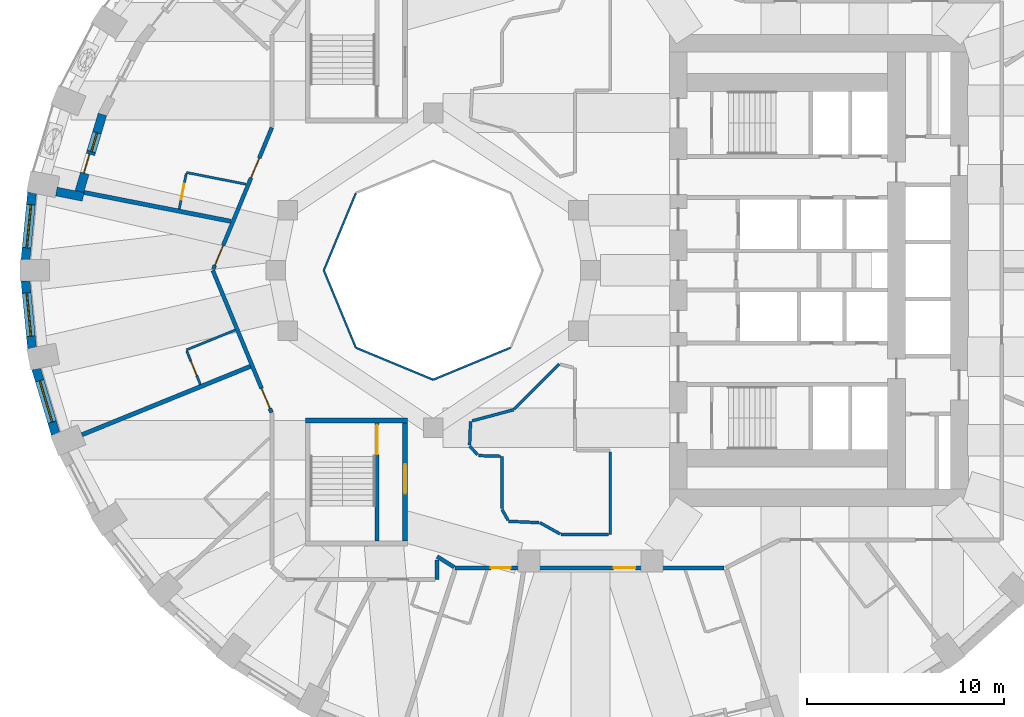
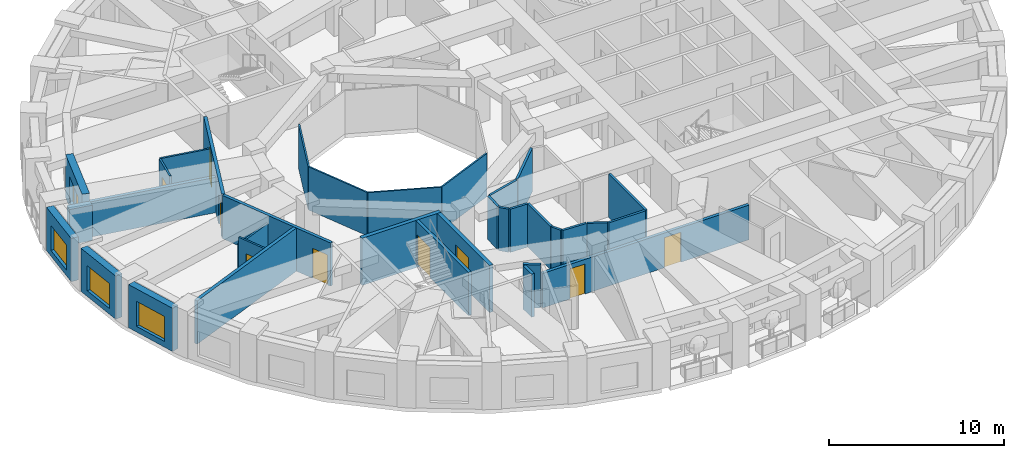
# One storey, part 4 of 13: 34 walls, 10 doors, 4 windows, 14 openings.
"""IFC4 building model written with IfcOpenShell, lengths in metres."""

import ifcopenshell
import ifcopenshell.guid

model = None  # the IFC model being written
_history = None  # IfcOwnerHistory: only IFC2X3 demands one
_inside = {}  # id of a spatial element -> (the spatial element, [elements in it])
_under = {}  # id of a project, library or spatial element -> (it, [spatial elements below it])
_declared = {}  # id of a project -> (the project, [libraries it declares])
_typed = {}  # id of a type object -> (the type object, [elements of that type])
_made_of = {}  # id of a material, layer set ... -> (it, [elements and type objects made of it])


def new_model(schema):
    """Start an empty IFC model of exactly this schema.

    Asked for "IFC4X3", IfcOpenShell would pick the latest addendum, in which some entities
    have other attributes; the version numbers below select the first issue.
    IFC2X3 requires an IfcOwnerHistory on every rooted entity: one is made here for all.
    """
    global model, _history
    if schema == "IFC4X3":
        model = ifcopenshell.file(schema_version=(4, 3, 0, 0))
    else:
        model = ifcopenshell.file(schema=schema)
    _inside.clear()
    _under.clear()
    _declared.clear()
    _typed.clear()
    _made_of.clear()
    _history = None
    if model.schema == "IFC2X3":
        org = make("IfcOrganization", Name="unknown")
        user = make(
            "IfcPersonAndOrganization",
            ThePerson=make("IfcPerson", FamilyName="unknown"),
            TheOrganization=org,
        )
        app = make(
            "IfcApplication",
            ApplicationDeveloper=org,
            Version="unknown",
            ApplicationFullName="unknown",
            ApplicationIdentifier="unknown",
        )
        _history = make(
            "IfcOwnerHistory",
            OwningUser=user,
            OwningApplication=app,
            ChangeAction="ADDED",
            CreationDate=0,
        )
    return model


def make(cls, **values):
    """One entity of the class cls with the attributes given. An attribute that is None is left unset."""
    return model.create_entity(
        cls, **{name: value for name, value in values.items() if value is not None}
    )


def rooted(cls, **values):
    """An entity with a GlobalId (a new one), such as an element, a storey or a relation."""
    return make(cls, GlobalId=ifcopenshell.guid.new(), OwnerHistory=_history, **values)


def si_unit(unit_type, name, prefix=None):
    """IfcSIUnit, for example si_unit("LENGTHUNIT", "METRE", prefix="MILLI")."""
    return make("IfcSIUnit", UnitType=unit_type, Prefix=prefix, Name=name)


def assignment(units):
    """IfcUnitAssignment: the units of a project."""
    return None if units is None else make("IfcUnitAssignment", Units=units)


def point(xyz):
    """IfcCartesianPoint."""
    return None if xyz is None else make("IfcCartesianPoint", Coordinates=xyz)


def direction(xyz):
    """IfcDirection."""
    return None if xyz is None else make("IfcDirection", DirectionRatios=xyz)


def frame(location, z_axis=None, x_axis=None):
    """IfcAxis2Placement3D, a coordinate frame: its origin and axes. An axis left out is left unset."""
    return make(
        "IfcAxis2Placement3D",
        Location=point(location),
        Axis=direction(z_axis),
        RefDirection=direction(x_axis),
    )


def frame_2d(location, x_axis=None):
    """IfcAxis2Placement2D, a coordinate frame in the plane: its origin and x axis."""
    return make(
        "IfcAxis2Placement2D", Location=point(location), RefDirection=direction(x_axis)
    )


def origin():
    """The frame at (0, 0, 0) with its axes left unset."""
    return frame((0.0, 0.0, 0.0))


def place(relative_to, where):
    """IfcLocalPlacement: puts the frame where relative to a parent placement (None: the world)."""
    return make(
        "IfcLocalPlacement", PlacementRelTo=relative_to, RelativePlacement=where
    )


def context(
    kind, dimensions, precision=None, world=None, true_north=None, identifier=None
):
    """IfcGeometricRepresentationContext, for example the 3D "Model" context."""
    return make(
        "IfcGeometricRepresentationContext",
        ContextIdentifier=identifier,
        ContextType=kind,
        CoordinateSpaceDimension=dimensions,
        Precision=precision,
        WorldCoordinateSystem=world,
        TrueNorth=true_north,
    )


def subcontext(parent, identifier, kind, view, scale=None):
    """IfcGeometricRepresentationSubContext, for example "Body" below "Model"."""
    return make(
        "IfcGeometricRepresentationSubContext",
        ContextIdentifier=identifier,
        ContextType=kind,
        ParentContext=parent,
        TargetScale=scale,
        TargetView=view,
    )


def project(units=None, contexts=None):
    """IfcProject with its units and contexts."""
    return rooted(
        "IfcProject",
        Name="project",
        RepresentationContexts=contexts,
        UnitsInContext=assignment(units),
    )


def spatial(cls, under=None, at=None, **own):
    """A site, building, storey or space (cls), placed at a placement, below another one or the project."""
    s = rooted(cls, ObjectPlacement=at, **own)
    if under is not None:
        _under.setdefault(under.id(), (under, []))[1].append(s)
    return s


def profile(cls, at=None, kind="AREA", **sizes):
    """A parametric profile (cls). Its sizes go by their IFC names, for example OverallWidth=200.0."""
    return make(cls, ProfileType=kind, Position=at, **sizes)


def rectangle(**sizes):
    """IfcRectangleProfileDef."""
    return profile("IfcRectangleProfileDef", **sizes)


def extrude(swept, where, along, depth):
    """IfcExtrudedAreaSolid: the profile swept, set in the frame where, extruded along a direction by depth."""
    return make(
        "IfcExtrudedAreaSolid",
        SweptArea=swept,
        Position=where,
        ExtrudedDirection=direction(along),
        Depth=depth,
    )


def shape(context_of_items, identifier, shape_type, items):
    """IfcShapeRepresentation: the items that make up one representation, for example the "Body"."""
    return make(
        "IfcShapeRepresentation",
        ContextOfItems=context_of_items,
        RepresentationIdentifier=identifier,
        RepresentationType=shape_type,
        Items=items,
    )


def material(Name=None, Category=None):
    """IfcMaterial."""
    return make("IfcMaterial", Name=Name, Category=Category)


def layer(
    of_material, thickness, ventilated=None, Name=None, Category=None, Priority=None
):
    """IfcMaterialLayer: one layer of a wall or slab, of a material (None: an air gap)."""
    return make(
        "IfcMaterialLayer",
        Material=of_material,
        LayerThickness=thickness,
        IsVentilated=ventilated,
        Name=Name,
        Category=Category,
        Priority=Priority,
    )


def layer_set(layers, Name=None):
    """IfcMaterialLayerSet."""
    return make("IfcMaterialLayerSet", MaterialLayers=layers, LayerSetName=Name)


def made_of(thing, what):
    """Note that an element or type object is made of a material, layer set ...; save() writes the relation."""
    if what is not None:
        _made_of.setdefault(what.id(), (what, []))[1].append(thing)
    return thing


def type_object(cls, material=None, **own):
    """A type object (cls), such as IfcWallType, which elements share."""
    return made_of(rooted(cls, **own), material)


def element(
    cls,
    number,
    at=None,
    inside=None,
    cuts=None,
    type_object=None,
    material=None,
    context=None,
    identifier="Body",
    shape_type=None,
    held_by="IfcProductDefinitionShape",
    body=None,
    shapes=None,
    **own,
):
    """One element of the class cls, such as IfcWall. Its Tag is "e" and its number.

    at: its placement. inside: the storey or other place that contains it. cuts: it is an
    opening in that element (IfcRelVoidsElement). A single representation is given by context,
    identifier, shape_type and body (its items); several are given by shapes. held_by: the class
    of the entity that holds the representations. save() writes the other relations.
    """
    e = rooted(cls, Tag="e%d" % number, ObjectPlacement=at, **own)
    if body is not None:
        shapes = [shape(context, identifier, shape_type, body)]
    if shapes is not None:
        e.Representation = make(held_by, Representations=shapes)
    if inside is not None:
        _inside.setdefault(inside.id(), (inside, []))[1].append(e)
    if cuts is not None:
        rooted(
            "IfcRelVoidsElement", RelatingBuildingElement=cuts, RelatedOpeningElement=e
        )
    if type_object is not None:
        _typed.setdefault(type_object.id(), (type_object, []))[1].append(e)
    return made_of(e, material)


def fill(opening, filler):
    """IfcRelFillsElement: the door or window that sits in an opening."""
    return rooted(
        "IfcRelFillsElement",
        RelatingOpeningElement=opening,
        RelatedBuildingElement=filler,
    )


def aggregate(whole, parts):
    """IfcRelAggregates: a whole, such as a stair, and the parts it consists of."""
    return rooted("IfcRelAggregates", RelatingObject=whole, RelatedObjects=parts)


def save(model, path):
    """Write the relations noted so far, then the file.

    IfcRelAggregates (storeys below a building ...), IfcRelContainedInSpatialStructure (elements
    in a storey), IfcRelDefinesByType, IfcRelAssociatesMaterial and IfcRelDeclares: one each for
    every whole, place, type object, material and project.
    """
    for whole, parts in _under.values():
        aggregate(whole, parts)
    for where, things in _inside.values():
        rooted(
            "IfcRelContainedInSpatialStructure",
            RelatedElements=things,
            RelatingStructure=where,
        )
    for kind, things in _typed.values():
        rooted("IfcRelDefinesByType", RelatedObjects=things, RelatingType=kind)
    for what, things in _made_of.values():
        rooted("IfcRelAssociatesMaterial", RelatedObjects=things, RelatingMaterial=what)
    for by, libraries in _declared.values():
        rooted("IfcRelDeclares", RelatingContext=by, RelatedDefinitions=libraries)
    model.write(path)


model = new_model("IFC4")

# Units and contexts
model_context = context("Model", 3, precision=1e-05, world=origin(), true_north=direction((0.0, 1.0)))
body_context = subcontext(model_context, "Body", "Model", "MODEL_VIEW")
ifc_project = project(units=[si_unit("LENGTHUNIT", "METRE"), si_unit("AREAUNIT", "SQUARE_METRE"), si_unit("VOLUMEUNIT", "CUBIC_METRE"), si_unit("PLANEANGLEUNIT", "RADIAN"), si_unit("MASSUNIT", "GRAM", prefix="KILO")], contexts=[model_context])

# Site, building, storey
site_placement = place(None, origin())
site = spatial("IfcSite", under=ifc_project, at=site_placement, CompositionType="ELEMENT")
building_placement = place(site_placement, origin())
building = spatial("IfcBuilding", under=site, at=building_placement, Name="Taillehof Tower", CompositionType="ELEMENT")
storey_placement = place(building_placement, frame((0.0, 0.0, 77.800048828125)))
storey = spatial("IfcBuildingStorey", under=building, at=storey_placement, Name="L21", CompositionType="ELEMENT", Elevation=77.800048828125)

# Walls
ifc_material_1 = material(Name="Fire-resisting glass in steel frame", Category="steel")
ifc_layer_1 = layer(ifc_material_1, 0.10009765625)
ifc_layer_set_1 = layer_set([ifc_layer_1], Name="Atrium fire-resisting screen EI 60 100")
wall_type_1 = type_object("IfcWallType", Name="Atrium fire-resisting screen EI 60 100", PredefinedType="PARTITIONING", material=ifc_layer_set_1)
for number, where, z_axis, x_axis, name in (
    (1, (-4.07275390625, -3.92724609375, 0.0), (0.0, 0.0, 1.0), (-0.923860025149, -0.382730523909, 0.0), "Atrium screen"),
    (2, (-8.0, -5.55419921875, 0.0), (0.0, 0.0, 1.0), (-0.923860025149, 0.382730523909, 0.0), "Atrium screen"),
    (3, (-11.92724609375, -3.92724609375, 0.0), (0.0, 0.0, 1.0), (-0.382730523909, 0.923860025149, 0.0), "Atrium screen"),
    (4, (-13.55419921875, 0.0, 0.0), (0.0, 0.0, 1.0), (0.382730523909, 0.923860025149, 0.0), "Atrium screen"),
):
    element("IfcWall", number, at=place(storey_placement, frame(where, z_axis=z_axis, x_axis=x_axis)), inside=storey, type_object=wall_type_1, Name=name, PredefinedType="PARTITIONING", context=body_context, shape_type="SweptSolid", body=[
        extrude(rectangle(XDim=4.2509765625, YDim=0.10009765625, at=frame_2d((2.12548828125, 0.0))), origin(), (0.0, 0.0, 1.0), 3.02001953125),
    ])

# Wall, opening, window
ifc_material_2 = material(Name="Brick masonry", Category="masonry")
ifc_layer_2 = layer(ifc_material_2, 0.449951171875)
ifc_layer_set_2 = layer_set([ifc_layer_2], Name="Brick infill wall 450")
wall_type_2 = type_object("IfcWallType", Name="Brick infill wall 450", PredefinedType="SOLIDWALL", material=ifc_layer_set_2)
wall_1_placement = place(storey_placement, frame((-28.38671875, 3.95556640625, 0.0), z_axis=(0.0, 0.0, 1.0), x_axis=(-0.097389581596, -0.995246336038, 0.0)))
wall_1 = element("IfcWall", 5, at=wall_1_placement, inside=storey, type_object=wall_type_2, Name="Brick wall L21 bay 18", PredefinedType="SOLIDWALL", context=body_context, shape_type="SweptSolid", body=[
    extrude(rectangle(XDim=3.44189453125, YDim=0.449951171875, at=frame_2d((1.720947265625, 0.0))), origin(), (0.0, 0.0, 1.0), 3.02001953125),
])
opening_1_placement = place(wall_1_placement, frame((0.62109375, 0.0, 0.39990234375)))
opening_1 = element("IfcOpeningElement", 6, at=opening_1_placement, cuts=wall_1, Name="Opening W1", PredefinedType="OPENING", context=body_context, shape_type="SweptSolid", body=[
    extrude(rectangle(XDim=2.199951171875, YDim=1.75, at=frame_2d((1.10009765625, 0.875))), frame((0.0, 0.23486328125, 0.0), z_axis=(0.0, -1.0, 0.0), x_axis=(1.0, 0.0, 0.0)), (0.0, 0.0, 1.0), 0.469970703125),
])
ifc_material_3 = material(Name="Aluminium window frame with clear double glazing", Category="aluminium")
window_type_1 = type_object("IfcWindowType", Name="Deep-set window 2200x1750", PartitioningType="SINGLE_PANEL", PredefinedType="WINDOW", material=ifc_material_3)
window_1_placement = place(opening_1_placement, origin())
window_1 = element("IfcWindow", 7, at=window_1_placement, inside=storey, type_object=window_type_1, Name="W1", OverallHeight=1.75, OverallWidth=2.199951171875, PartitioningType="SINGLE_PANEL", PredefinedType="WINDOW", context=body_context, shape_type="SweptSolid", body=[
    extrude(rectangle(XDim=2.199951171875, YDim=1.75, at=frame_2d((1.10009765625, 0.875))), frame((0.0, 0.034912109375, 0.0), z_axis=(0.0, -1.0, 0.0), x_axis=(1.0, 0.0, 0.0)), (0.0, 0.0, 1.0), 0.06005859375),
])
fill(opening_1, window_1)

wall_2_placement = place(storey_placement, frame((-28.721923828125, -0.530029296875, 0.0), z_axis=(0.0, 0.0, 1.0), x_axis=(0.097389581596, -0.995246336038, 0.0)))
wall_2 = element("IfcWall", 8, at=wall_2_placement, inside=storey, type_object=wall_type_2, Name="Brick wall L21 bay 19", PredefinedType="SOLIDWALL", context=body_context, shape_type="SweptSolid", body=[
    extrude(rectangle(XDim=3.44189453125, YDim=0.449951171875, at=frame_2d((1.720947265625, 0.0))), origin(), (0.0, 0.0, 1.0), 3.02001953125),
])
opening_2_placement = place(wall_2_placement, frame((0.62109375, 0.0, 0.39990234375)))
opening_2 = element("IfcOpeningElement", 9, at=opening_2_placement, cuts=wall_2, Name="Opening W1", PredefinedType="OPENING", context=body_context, shape_type="SweptSolid", body=[
    extrude(rectangle(XDim=2.199951171875, YDim=1.75, at=frame_2d((1.10009765625, 0.875))), frame((0.0, 0.23486328125, 0.0), z_axis=(0.0, -1.0, 0.0), x_axis=(1.0, 0.0, 0.0)), (0.0, 0.0, 1.0), 0.469970703125),
])
window_2_placement = place(opening_2_placement, origin())
window_2 = element("IfcWindow", 10, at=window_2_placement, inside=storey, type_object=window_type_1, Name="W1", OverallHeight=1.75, OverallWidth=2.199951171875, PartitioningType="SINGLE_PANEL", PredefinedType="WINDOW", context=body_context, shape_type="SweptSolid", body=[
    extrude(rectangle(XDim=2.199951171875, YDim=1.75, at=frame_2d((1.10009765625, 0.875))), frame((0.0, 0.034912109375, 0.0), z_axis=(0.0, -1.0, 0.0), x_axis=(1.0, 0.0, 0.0)), (0.0, 0.0, 1.0), 0.06005859375),
])
fill(opening_2, window_2)

wall_3_placement = place(storey_placement, frame((-28.181884765625, -4.995849609375, 0.0), z_axis=(0.0, 0.0, 1.0), x_axis=(0.287064133733, -0.957911364963, 0.0)))
wall_3 = element("IfcWall", 11, at=wall_3_placement, inside=storey, type_object=wall_type_2, Name="Brick wall L21 bay 20", PredefinedType="SOLIDWALL", context=body_context, shape_type="SweptSolid", body=[
    extrude(rectangle(XDim=3.473388671875, YDim=0.449951171875, at=frame_2d((1.73681640625, 0.0))), origin(), (0.0, 0.0, 1.0), 3.02001953125),
])
opening_3_placement = place(wall_3_placement, frame((0.63671875, 0.0, 0.39990234375)))
opening_3 = element("IfcOpeningElement", 12, at=opening_3_placement, cuts=wall_3, Name="Opening W1", PredefinedType="OPENING", context=body_context, shape_type="SweptSolid", body=[
    extrude(rectangle(XDim=2.199951171875, YDim=1.75, at=frame_2d((1.10009765625, 0.875))), frame((0.0, 0.23486328125, 0.0), z_axis=(0.0, -1.0, 0.0), x_axis=(1.0, 0.0, 0.0)), (0.0, 0.0, 1.0), 0.469970703125),
])
window_3_placement = place(opening_3_placement, origin())
window_3 = element("IfcWindow", 13, at=window_3_placement, inside=storey, type_object=window_type_1, Name="W1", OverallHeight=1.75, OverallWidth=2.199951171875, PartitioningType="SINGLE_PANEL", PredefinedType="WINDOW", context=body_context, shape_type="SweptSolid", body=[
    extrude(rectangle(XDim=2.199951171875, YDim=1.75, at=frame_2d((1.10009765625, 0.875))), frame((0.0, 0.034912109375, 0.0), z_axis=(0.0, -1.0, 0.0), x_axis=(1.0, 0.0, 0.0)), (0.0, 0.0, 1.0), 0.06005859375),
])
fill(opening_3, window_3)

# Wall
wall_4_placement = place(storey_placement, frame((-27.15087890625, 4.008544921875, 0.0), z_axis=(0.0, 0.0, 1.0), x_axis=(0.981197182729, -0.1930080014, 0.0)))
element("IfcWall", 14, at=wall_4_placement, inside=storey, type_object=wall_type_2, Name="Brick reveal L21 pocket 4", PredefinedType="SOLIDWALL", context=body_context, shape_type="SweptSolid", body=[
    extrude(rectangle(XDim=1.39013671875, YDim=0.449951171875, at=frame_2d((0.695068359375, 0.0))), origin(), (0.0, 0.0, 1.0), 2.469970703125),
])

# Wall, openings, door, window
wall_5_placement = place(storey_placement, frame((-24.811767578125, 7.92529296875, 0.0), z_axis=(0.0, 0.0, 1.0), x_axis=(-0.286389028326, -0.95811341941, 0.0)))
wall_5 = element("IfcWall", 15, at=wall_5_placement, inside=storey, type_object=wall_type_2, Name="Brick wall L21 pocket bay 17", PredefinedType="SOLIDWALL", context=body_context, shape_type="SweptSolid", body=[
    extrude(rectangle(XDim=4.08837890625, YDim=0.449951171875, at=frame_2d((2.044189453125, 0.0))), origin(), (0.0, 0.0, 1.0), 3.02001953125),
])
opening_4_placement = place(wall_5_placement, frame((0.96923828125, 0.0, 0.39990234375)))
opening_4 = element("IfcOpeningElement", 16, at=opening_4_placement, cuts=wall_5, Name="Opening W5", PredefinedType="OPENING", context=body_context, shape_type="SweptSolid", body=[
    extrude(rectangle(XDim=1.0, YDim=1.75, at=frame_2d((0.5, 0.875))), frame((0.0, 0.23486328125, 0.0), z_axis=(0.0, -1.0, 0.0), x_axis=(1.0, 0.0, 0.0)), (0.0, 0.0, 1.0), 0.469970703125),
])
opening_5_placement = place(wall_5_placement, frame((2.119140625, 0.0, 0.0)))
opening_5 = element("IfcOpeningElement", 17, at=opening_5_placement, cuts=wall_5, Name="Opening D2196", PredefinedType="OPENING", context=body_context, shape_type="SweptSolid", body=[
    extrude(rectangle(XDim=1.0, YDim=2.14990234375, at=frame_2d((0.5, 1.074951171875))), frame((0.0, 0.23486328125, 0.0), z_axis=(0.0, -1.0, 0.0), x_axis=(1.0, 0.0, 0.0)), (0.0, 0.0, 1.0), 0.469970703125),
])
ifc_material_4 = material(Name="Aluminium door frame with clear double glazing", Category="aluminium")
door_type_1 = type_object("IfcDoorType", Name="Balcony door 1000x2150", OperationType="SINGLE_SWING_RIGHT", PredefinedType="DOOR", material=ifc_material_4)
door_1_placement = place(opening_5_placement, frame((1.0, 0.0, 0.0), z_axis=(0.0, 0.0, 1.0), x_axis=(-1.0, 0.0, 0.0)))
door_1 = element("IfcDoor", 18, at=door_1_placement, inside=storey, type_object=door_type_1, Name="Balcony door L21 bay 17", OperationType="SINGLE_SWING_LEFT", OverallHeight=2.14990234375, OverallWidth=1.0, PredefinedType="DOOR", context=body_context, shape_type="SweptSolid", body=[
    extrude(rectangle(XDim=1.0, YDim=2.14990234375, at=frame_2d((0.5, 1.074951171875))), frame((0.0, 0.0751953125, 0.0), z_axis=(0.0, -1.0, 0.0), x_axis=(1.0, 0.0, 0.0)), (0.0, 0.0, 1.0), 0.050048828125),
])
fill(opening_5, door_1)
ifc_material_5 = material(Name="Aluminium window frame with clear double glazing", Category="aluminium")
window_type_2 = type_object("IfcWindowType", Name="Fixed window 1000x1750", PartitioningType="SINGLE_PANEL", PredefinedType="WINDOW", material=ifc_material_5)
window_4_placement = place(opening_4_placement, origin())
window_4 = element("IfcWindow", 19, at=window_4_placement, inside=storey, type_object=window_type_2, Name="W5", OverallHeight=1.75, OverallWidth=1.0, PartitioningType="SINGLE_PANEL", PredefinedType="WINDOW", context=body_context, shape_type="SweptSolid", body=[
    extrude(rectangle(XDim=1.0, YDim=1.75, at=frame_2d((0.5, 0.875))), frame((0.0, 0.034912109375, 0.0), z_axis=(0.0, -1.0, 0.0), x_axis=(1.0, 0.0, 0.0)), (0.0, 0.0, 1.0), 0.06005859375),
])
fill(opening_4, window_4)

# Wall, openings, doors
ifc_material_6 = material(Name="Gypsum board on steel studs, two layers each side", Category="steel")
ifc_layer_3 = layer(ifc_material_6, 0.199951171875)
ifc_layer_set_3 = layer_set([ifc_layer_3], Name="Compartment wall corridor 200")
wall_type_3 = type_object("IfcWallType", Name="Compartment wall corridor 200", PredefinedType="PARTITIONING", material=ifc_layer_set_3)
wall_6_placement = place(storey_placement, frame((6.7783203125, -15.115478515625, 0.0), z_axis=(0.0, 0.0, 1.0), x_axis=(-1.0, 0.0, 0.0)))
wall_6 = element("IfcWall", 20, at=wall_6_placement, inside=storey, type_object=wall_type_3, Name="Compartment wall", PredefinedType="PARTITIONING", context=body_context, shape_type="SweptSolid", body=[
    extrude(rectangle(XDim=13.65673828125, YDim=0.199951171875, at=frame_2d((6.828369140625, 0.0))), origin(), (0.0, 0.0, 1.0), 2.419921875),
])
opening_6_placement = place(wall_6_placement, frame((10.8427734375, 0.0, 0.0)))
opening_6 = element("IfcOpeningElement", 21, at=opening_6_placement, cuts=wall_6, Name="Opening D2158", PredefinedType="OPENING", context=body_context, shape_type="SweptSolid", body=[
    extrude(rectangle(XDim=1.0, YDim=2.10009765625, at=frame_2d((0.5, 1.050048828125))), frame((0.0, 0.10986328125, 0.0), z_axis=(0.0, -1.0, 0.0), x_axis=(1.0, 0.0, 0.0)), (0.0, 0.0, 1.0), 0.219970703125),
])
opening_7_placement = place(wall_6_placement, frame((4.50537109375, 0.0, 0.0)))
opening_7 = element("IfcOpeningElement", 22, at=opening_7_placement, cuts=wall_6, Name="Opening D2160", PredefinedType="OPENING", context=body_context, shape_type="SweptSolid", body=[
    extrude(rectangle(XDim=1.10009765625, YDim=2.10009765625, at=frame_2d((0.550048828125, 1.050048828125))), frame((0.0, 0.10986328125, 0.0), z_axis=(0.0, -1.0, 0.0), x_axis=(1.0, 0.0, 0.0)), (0.0, 0.0, 1.0), 0.219970703125),
])
ifc_material_7 = material(Name="Timber door leaf in steel frame", Category="steel")
door_type_2 = type_object("IfcDoorType", Name="Guest room door EI 30 1000 x 2100", OperationType="SINGLE_SWING_LEFT", PredefinedType="DOOR", material=ifc_material_7)
door_2_placement = place(opening_6_placement, origin())
door_2 = element("IfcDoor", 23, at=door_2_placement, inside=storey, type_object=door_type_2, Name="D2158", OperationType="SINGLE_SWING_RIGHT", OverallHeight=2.10009765625, OverallWidth=1.0, PredefinedType="DOOR", context=body_context, shape_type="SweptSolid", body=[
    extrude(rectangle(XDim=1.0, YDim=2.10009765625, at=frame_2d((0.5, 1.050048828125))), frame((0.0, 0.02490234375, 0.0), z_axis=(0.0, -1.0, 0.0), x_axis=(1.0, 0.0, 0.0)), (0.0, 0.0, 1.0), 0.050048828125),
])
fill(opening_6, door_2)
ifc_material_8 = material(Name="Timber door leaf in steel frame", Category="steel")
door_type_3 = type_object("IfcDoorType", Name="Suite entrance door EI 30 1100 x 2100", OperationType="SINGLE_SWING_LEFT", PredefinedType="DOOR", material=ifc_material_8)
door_3_placement = place(opening_7_placement, origin())
door_3 = element("IfcDoor", 24, at=door_3_placement, inside=storey, type_object=door_type_3, Name="D2160", OperationType="SINGLE_SWING_LEFT", OverallHeight=2.10009765625, OverallWidth=1.10009765625, PredefinedType="DOOR", context=body_context, shape_type="SweptSolid", body=[
    extrude(rectangle(XDim=1.10009765625, YDim=2.10009765625, at=frame_2d((0.550048828125, 1.050048828125))), frame((0.0, 0.02490234375, 0.0), z_axis=(0.0, -1.0, 0.0), x_axis=(1.0, 0.0, 0.0)), (0.0, 0.0, 1.0), 0.050048828125),
])
fill(opening_7, door_3)

# Walls
wall_7_placement = place(storey_placement, frame((-6.9296875, -15.083984375, 0.0), z_axis=(0.0, 0.0, 1.0), x_axis=(-0.848439230109, 0.529292804421, 0.0)))
element("IfcWall", 25, at=wall_7_placement, inside=storey, type_object=wall_type_3, Name="Compartment wall", PredefinedType="PARTITIONING", context=body_context, shape_type="SweptSolid", body=[
    extrude(rectangle(XDim=1.02587890625, YDim=0.199951171875, at=frame_2d((0.512939453125, 0.0))), origin(), (0.0, 0.0, 1.0), 3.02001953125),
])
wall_8_placement = place(storey_placement, frame((-7.800048828125, -14.72119140625, 0.0), z_axis=(0.0, 0.0, 1.0), x_axis=(0.0, -1.0, 0.0)))
element("IfcWall", 26, at=wall_8_placement, inside=storey, type_object=wall_type_3, Name="Compartment wall", PredefinedType="PARTITIONING", context=body_context, shape_type="SweptSolid", body=[
    extrude(rectangle(XDim=0.978759765625, YDim=0.199951171875, at=frame_2d((0.4892578125, 0.0))), origin(), (0.0, 0.0, 1.0), 3.02001953125),
])

# Wall, opening, door
wall_9_placement = place(storey_placement, frame((-16.215087890625, -7.22119140625, 0.0), z_axis=(0.0, 0.0, 1.0), x_axis=(-0.382000362846, 0.924162173423, 0.0)))
wall_9 = element("IfcWall", 27, at=wall_9_placement, inside=storey, type_object=wall_type_3, Name="Compartment wall", PredefinedType="PARTITIONING", context=body_context, shape_type="SweptSolid", body=[
    extrude(rectangle(XDim=7.813720703125, YDim=0.199951171875, at=frame_2d((3.90673828125, 0.0))), origin(), (0.0, 0.0, 1.0), 3.02001953125),
])
opening_8_placement = place(wall_9_placement, frame((0.219970703125, 0.0, 0.0)))
opening_8 = element("IfcOpeningElement", 28, at=opening_8_placement, cuts=wall_9, Name="Opening D2152", PredefinedType="OPENING", context=body_context, shape_type="SweptSolid", body=[
    extrude(rectangle(XDim=1.10009765625, YDim=2.10009765625, at=frame_2d((0.550048828125, 1.050048828125))), frame((0.0, 0.10986328125, 0.0), z_axis=(0.0, -1.0, 0.0), x_axis=(1.0, 0.0, 0.0)), (0.0, 0.0, 1.0), 0.219970703125),
])
door_4_placement = place(opening_8_placement, origin())
door_4 = element("IfcDoor", 29, at=door_4_placement, inside=storey, type_object=door_type_3, Name="D2152", OperationType="SINGLE_SWING_LEFT", OverallHeight=2.10009765625, OverallWidth=1.10009765625, PredefinedType="DOOR", context=body_context, shape_type="SweptSolid", body=[
    extrude(rectangle(XDim=1.10009765625, YDim=2.10009765625, at=frame_2d((0.550048828125, 1.050048828125))), frame((0.0, 0.02490234375, 0.0), z_axis=(0.0, -1.0, 0.0), x_axis=(1.0, 0.0, 0.0)), (0.0, 0.0, 1.0), 0.050048828125),
])
fill(opening_8, door_4)

# Wall, openings, doors
wall_10_placement = place(storey_placement, frame((-19.17724609375, 0.0556640625, 0.0), z_axis=(0.0, 0.0, 1.0), x_axis=(0.382011450526, 0.924157590277, 0.0)))
wall_10 = element("IfcWall", 30, at=wall_10_placement, inside=storey, type_object=wall_type_3, Name="Compartment wall", PredefinedType="PARTITIONING", context=body_context, shape_type="SweptSolid", body=[
    extrude(rectangle(XDim=7.793701171875, YDim=0.199951171875, at=frame_2d((3.89697265625, 0.0))), origin(), (0.0, 0.0, 1.0), 3.02001953125),
])
opening_9_placement = place(wall_10_placement, frame((5.021728515625, 0.0, 0.0)))
opening_9 = element("IfcOpeningElement", 31, at=opening_9_placement, cuts=wall_10, Name="Opening D2148", PredefinedType="OPENING", context=body_context, shape_type="SweptSolid", body=[
    extrude(rectangle(XDim=1.10009765625, YDim=2.10009765625, at=frame_2d((0.550048828125, 1.050048828125))), frame((0.0, 0.10986328125, 0.0), z_axis=(0.0, -1.0, 0.0), x_axis=(1.0, 0.0, 0.0)), (0.0, 0.0, 1.0), 0.219970703125),
])
opening_10_placement = place(wall_10_placement, frame((0.219970703125, 0.0, 0.0)))
opening_10 = element("IfcOpeningElement", 32, at=opening_10_placement, cuts=wall_10, Name="Opening D2150", PredefinedType="OPENING", context=body_context, shape_type="SweptSolid", body=[
    extrude(rectangle(XDim=1.10009765625, YDim=2.10009765625, at=frame_2d((0.550048828125, 1.050048828125))), frame((0.0, 0.10986328125, 0.0), z_axis=(0.0, -1.0, 0.0), x_axis=(1.0, 0.0, 0.0)), (0.0, 0.0, 1.0), 0.219970703125),
])
door_5_placement = place(opening_9_placement, origin())
door_5 = element("IfcDoor", 33, at=door_5_placement, inside=storey, type_object=door_type_3, Name="D2148", OperationType="SINGLE_SWING_LEFT", OverallHeight=2.10009765625, OverallWidth=1.10009765625, PredefinedType="DOOR", context=body_context, shape_type="SweptSolid", body=[
    extrude(rectangle(XDim=1.10009765625, YDim=2.10009765625, at=frame_2d((0.550048828125, 1.050048828125))), frame((0.0, 0.02490234375, 0.0), z_axis=(0.0, -1.0, 0.0), x_axis=(1.0, 0.0, 0.0)), (0.0, 0.0, 1.0), 0.050048828125),
])
fill(opening_9, door_5)
door_6_placement = place(opening_10_placement, origin())
door_6 = element("IfcDoor", 34, at=door_6_placement, inside=storey, type_object=door_type_3, Name="D2150", OperationType="SINGLE_SWING_RIGHT", OverallHeight=2.10009765625, OverallWidth=1.10009765625, PredefinedType="DOOR", context=body_context, shape_type="SweptSolid", body=[
    extrude(rectangle(XDim=1.10009765625, YDim=2.10009765625, at=frame_2d((0.550048828125, 1.050048828125))), frame((0.0, 0.02490234375, 0.0), z_axis=(0.0, -1.0, 0.0), x_axis=(1.0, 0.0, 0.0)), (0.0, 0.0, 1.0), 0.050048828125),
])
fill(opening_10, door_6)

# Walls
ifc_material_9 = material(Name="Gypsum board on double steel studs with mineral wool", Category="steel")
ifc_layer_4 = layer(ifc_material_9, 0.219970703125)
ifc_layer_set_4 = layer_set([ifc_layer_4], Name="Compartment wall guest room 220")
wall_type_4 = type_object("IfcWallType", Name="Compartment wall guest room 220", PredefinedType="PARTITIONING", material=ifc_layer_set_4)
wall_11_placement = place(storey_placement, frame((-25.760986328125, 3.96435546875, 0.0), z_axis=(0.0, 0.0, 1.0), x_axis=(0.981212489184, -0.192930171486, 0.0)))
element("IfcWall", 35, at=wall_11_placement, inside=storey, type_object=wall_type_4, Name="Compartment wall", PredefinedType="PARTITIONING", context=body_context, shape_type="SweptSolid", body=[
    extrude(rectangle(XDim=7.6064453125, YDim=0.219970703125, at=frame_2d((3.80322265625, 0.0))), origin(), (0.0, 0.0, 1.0), 2.469970703125),
])
wall_12_placement = place(storey_placement, frame((-25.851318359375, -8.35400390625, 0.0), z_axis=(0.0, 0.0, 1.0), x_axis=(0.926554383207, 0.376160836558, 0.0)))
element("IfcWall", 36, at=wall_12_placement, inside=storey, type_object=wall_type_4, Name="Compartment wall", PredefinedType="PARTITIONING", context=body_context, shape_type="SweptSolid", body=[
    extrude(rectangle(XDim=9.23828125, YDim=0.219970703125, at=frame_2d((4.619140625, 0.0))), origin(), (0.0, 0.0, 1.0), 3.02001953125),
])
ifc_material_10 = material(Name="Gypsum board on steel studs, two layers each side", Category="steel")
ifc_layer_5 = layer(ifc_material_10, 0.14990234375)
ifc_layer_set_5 = layer_set([ifc_layer_5], Name="Compartment wall service room 150")
wall_type_5 = type_object("IfcWallType", Name="Compartment wall service room 150", PredefinedType="PARTITIONING", material=ifc_layer_set_5)
wall_13_placement = place(storey_placement, frame((1.0, -9.22998046875, 0.0), z_axis=(0.0, 0.0, 1.0), x_axis=(0.0, -1.0, 0.0)))
element("IfcWall", 37, at=wall_13_placement, inside=storey, type_object=wall_type_5, Name="Compartment wall", PredefinedType="PARTITIONING", context=body_context, shape_type="SweptSolid", body=[
    extrude(rectangle(XDim=4.185546875, YDim=0.14990234375, at=frame_2d((2.0927734375, 0.0))), origin(), (0.0, 0.0, 1.0), 3.02001953125),
])
wall_14_placement = place(storey_placement, frame((0.919921875, -13.41552734375, 0.0), z_axis=(0.0, 0.0, 1.0), x_axis=(-1.0, 0.0, 0.0)))
element("IfcWall", 38, at=wall_14_placement, inside=storey, type_object=wall_type_5, Name="Compartment wall", PredefinedType="PARTITIONING", context=body_context, shape_type="SweptSolid", body=[
    extrude(rectangle(XDim=2.4296875, YDim=0.14990234375, at=frame_2d((1.21484375, 0.0))), origin(), (0.0, 0.0, 1.0), 3.02001953125),
])
wall_15_placement = place(storey_placement, frame((-1.544921875, -13.39599609375, 0.0), z_axis=(0.0, 0.0, 1.0), x_axis=(-0.873678559566, 0.486503622345, 0.0)))
element("IfcWall", 39, at=wall_15_placement, inside=storey, type_object=wall_type_5, Name="Compartment wall", PredefinedType="PARTITIONING", context=body_context, shape_type="SweptSolid", body=[
    extrude(rectangle(XDim=1.1796875, YDim=0.14990234375, at=frame_2d((0.58984375, 0.0))), origin(), (0.0, 0.0, 1.0), 3.02001953125),
])
wall_16_placement = place(storey_placement, frame((-2.61572265625, -12.820068359375, 0.0), z_axis=(0.0, 0.0, 1.0), x_axis=(-0.99904515517, 0.04368956318, 0.0)))
element("IfcWall", 40, at=wall_16_placement, inside=storey, type_object=wall_type_5, Name="Compartment wall", PredefinedType="PARTITIONING", context=body_context, shape_type="SweptSolid", body=[
    extrude(rectangle(XDim=1.553466796875, YDim=0.14990234375, at=frame_2d((0.77685546875, 0.0))), origin(), (0.0, 0.0, 1.0), 3.02001953125),
])
wall_17_placement = place(storey_placement, frame((-4.1962890625, -12.699462890625, 0.0), z_axis=(0.0, 0.0, 1.0), x_axis=(-0.481398734925, 0.876501715921, 0.0)))
element("IfcWall", 41, at=wall_17_placement, inside=storey, type_object=wall_type_5, Name="Compartment wall", PredefinedType="PARTITIONING", context=body_context, shape_type="SweptSolid", body=[
    extrude(rectangle(XDim=0.630859375, YDim=0.14990234375, at=frame_2d((0.3154296875, 0.0))), origin(), (0.0, 0.0, 1.0), 3.02001953125),
])
wall_18_placement = place(storey_placement, frame((-4.5, -12.1064453125, 0.0), z_axis=(0.0, 0.0, 1.0), x_axis=(0.0, 1.0, 0.0)))
element("IfcWall", 42, at=wall_18_placement, inside=storey, type_object=wall_type_5, Name="Compartment wall", PredefinedType="PARTITIONING", context=body_context, shape_type="SweptSolid", body=[
    extrude(rectangle(XDim=2.656494140625, YDim=0.14990234375, at=frame_2d((1.328125, 0.0))), origin(), (0.0, 0.0, 1.0), 3.02001953125),
])
wall_19_placement = place(storey_placement, frame((-4.580078125, -9.447021484375, 0.0), z_axis=(0.0, 0.0, 1.0), x_axis=(-0.999526758156, 0.030761334993, 0.0)))
element("IfcWall", 43, at=wall_19_placement, inside=storey, type_object=wall_type_5, Name="Compartment wall", PredefinedType="PARTITIONING", context=body_context, shape_type="SweptSolid", body=[
    extrude(rectangle(XDim=1.126953125, YDim=0.14990234375, at=frame_2d((0.5634765625, 0.0))), origin(), (0.0, 0.0, 1.0), 3.02001953125),
])
wall_20_placement = place(storey_placement, frame((-5.746826171875, -9.36767578125, 0.0), z_axis=(0.0, 0.0, 1.0), x_axis=(-0.671757620202, 0.740771017049, 0.0)))
element("IfcWall", 44, at=wall_20_placement, inside=storey, type_object=wall_type_5, Name="Compartment wall", PredefinedType="PARTITIONING", context=body_context, shape_type="SweptSolid", body=[
    extrude(rectangle(XDim=0.597900390625, YDim=0.14990234375, at=frame_2d((0.298828125, 0.0))), origin(), (0.0, 0.0, 1.0), 3.02001953125),
])
wall_21_placement = place(storey_placement, frame((-6.146240234375, -8.86474609375, 0.0), z_axis=(0.0, 0.0, 1.0), x_axis=(0.038582079081, 0.999255434398, 0.0)))
element("IfcWall", 45, at=wall_21_placement, inside=storey, type_object=wall_type_5, Name="Compartment wall", PredefinedType="PARTITIONING", context=body_context, shape_type="SweptSolid", body=[
    extrude(rectangle(XDim=1.196044921875, YDim=0.14990234375, at=frame_2d((0.59814453125, 0.0))), origin(), (0.0, 0.0, 1.0), 3.02001953125),
])
wall_22_placement = place(storey_placement, frame((-6.02294921875, -7.649169921875, 0.0), z_axis=(0.0, 0.0, 1.0), x_axis=(0.965906186456, 0.258892330836, 0.0)))
element("IfcWall", 46, at=wall_22_placement, inside=storey, type_object=wall_type_5, Name="Compartment wall", PredefinedType="PARTITIONING", context=body_context, shape_type="SweptSolid", body=[
    extrude(rectangle(XDim=2.186767578125, YDim=0.14990234375, at=frame_2d((1.09326171875, 0.0))), origin(), (0.0, 0.0, 1.0), 3.02001953125),
])
wall_23_placement = place(storey_placement, frame((-3.88232421875, -7.0546875, 0.0), z_axis=(0.0, 0.0, 1.0), x_axis=(0.707069126061, 0.707144434307, 0.0)))
element("IfcWall", 47, at=wall_23_placement, inside=storey, type_object=wall_type_5, Name="Compartment wall", PredefinedType="PARTITIONING", context=body_context, shape_type="SweptSolid", body=[
    extrude(rectangle(XDim=3.241943359375, YDim=0.14990234375, at=frame_2d((1.62109375, 0.0))), origin(), (0.0, 0.0, 1.0), 3.02001953125),
])
ifc_material_11 = material(Name="Gypsum board on steel studs, moisture resistant", Category="steel")
ifc_layer_6 = layer(ifc_material_11, 0.1201171875)
ifc_layer_set_6 = layer_set([ifc_layer_6], Name="En-suite wall 120")
wall_type_6 = type_object("IfcWallType", Name="En-suite wall 120", PredefinedType="PARTITIONING", material=ifc_layer_set_6)
wall_24_placement = place(storey_placement, frame((-17.518310546875, 4.3818359375, 0.0), z_axis=(0.0, 0.0, 1.0), x_axis=(-0.981212916867, 0.192927996342, 0.0)))
element("IfcWall", 48, at=wall_24_placement, inside=storey, type_object=wall_type_6, Name="En-suite wall", PredefinedType="PARTITIONING", context=body_context, shape_type="SweptSolid", body=[
    extrude(rectangle(XDim=3.078857421875, YDim=0.1201171875, at=frame_2d((1.53955078125, 0.0))), origin(), (0.0, 0.0, 1.0), 3.02001953125),
])
wall_25_placement = place(storey_placement, frame((-18.0556640625, -3.030517578125, 0.0), z_axis=(0.0, 0.0, 1.0), x_axis=(-0.926540804766, -0.376194281061, 0.0)))
element("IfcWall", 49, at=wall_25_placement, inside=storey, type_object=wall_type_6, Name="En-suite wall", PredefinedType="PARTITIONING", context=body_context, shape_type="SweptSolid", body=[
    extrude(rectangle(XDim=2.6875, YDim=0.1201171875, at=frame_2d((1.34375, 0.0))), origin(), (0.0, 0.0, 1.0), 2.469970703125),
])

# Wall, opening, door
wall_26_placement = place(storey_placement, frame((-20.551025390625, 4.917236328125, 0.0), z_axis=(0.0, 0.0, 1.0), x_axis=(-0.19288291118, -0.981221780524, 0.0)))
wall_26 = element("IfcWall", 50, at=wall_26_placement, inside=storey, type_object=wall_type_6, Name="En-suite wall", PredefinedType="PARTITIONING", context=body_context, shape_type="SweptSolid", body=[
    extrude(rectangle(XDim=1.830322265625, YDim=0.1201171875, at=frame_2d((0.9150390625, 0.0))), origin(), (0.0, 0.0, 1.0), 3.02001953125),
])
opening_11_placement = place(wall_26_placement, frame((0.540283203125, 0.0, 0.0)))
opening_11 = element("IfcOpeningElement", 51, at=opening_11_placement, cuts=wall_26, Name="Opening D2149", PredefinedType="OPENING", context=body_context, shape_type="SweptSolid", body=[
    extrude(rectangle(XDim=0.800048828125, YDim=2.10009765625, at=frame_2d((0.39990234375, 1.050048828125))), frame((0.0, 0.070068359375, 0.0), z_axis=(0.0, -1.0, 0.0), x_axis=(1.0, 0.0, 0.0)), (0.0, 0.0, 1.0), 0.14013671875),
])
ifc_material_12 = material(Name="Timber door leaf in steel frame", Category="steel")
door_type_4 = type_object("IfcDoorType", Name="En-suite door 800 x 2100", OperationType="SINGLE_SWING_LEFT", PredefinedType="DOOR", material=ifc_material_12)
door_7_placement = place(opening_11_placement, origin())
door_7 = element("IfcDoor", 52, at=door_7_placement, inside=storey, type_object=door_type_4, Name="D2149", OperationType="SINGLE_SWING_LEFT", OverallHeight=2.10009765625, OverallWidth=0.800048828125, PredefinedType="DOOR", context=body_context, shape_type="SweptSolid", body=[
    extrude(rectangle(XDim=0.800048828125, YDim=2.10009765625, at=frame_2d((0.39990234375, 1.050048828125))), frame((0.0, 0.02490234375, 0.0), z_axis=(0.0, -1.0, 0.0), x_axis=(1.0, 0.0, 0.0)), (0.0, 0.0, 1.0), 0.050048828125),
])
fill(opening_11, door_7)

wall_27_placement = place(storey_placement, frame((-20.523193359375, -4.09716796875, 0.0), z_axis=(0.0, 0.0, 1.0), x_axis=(0.376216010002, -0.92653198208, 0.0)))
wall_27 = element("IfcWall", 53, at=wall_27_placement, inside=storey, type_object=wall_type_6, Name="En-suite wall", PredefinedType="PARTITIONING", context=body_context, shape_type="SweptSolid", body=[
    extrude(rectangle(XDim=1.830078125, YDim=0.1201171875, at=frame_2d((0.9150390625, 0.0))), origin(), (0.0, 0.0, 1.0), 3.02001953125),
])
opening_12_placement = place(wall_27_placement, frame((0.539794921875, 0.0, 0.0)))
opening_12 = element("IfcOpeningElement", 54, at=opening_12_placement, cuts=wall_27, Name="Opening D2151", PredefinedType="OPENING", context=body_context, shape_type="SweptSolid", body=[
    extrude(rectangle(XDim=0.800048828125, YDim=2.10009765625, at=frame_2d((0.39990234375, 1.050048828125))), frame((0.0, 0.070068359375, 0.0), z_axis=(0.0, -1.0, 0.0), x_axis=(1.0, 0.0, 0.0)), (0.0, 0.0, 1.0), 0.14013671875),
])
door_8_placement = place(opening_12_placement, origin())
door_8 = element("IfcDoor", 55, at=door_8_placement, inside=storey, type_object=door_type_4, Name="D2151", OperationType="SINGLE_SWING_LEFT", OverallHeight=2.10009765625, OverallWidth=0.800048828125, PredefinedType="DOOR", context=body_context, shape_type="SweptSolid", body=[
    extrude(rectangle(XDim=0.800048828125, YDim=2.10009765625, at=frame_2d((0.39990234375, 1.050048828125))), frame((0.0, 0.02490234375, 0.0), z_axis=(0.0, -1.0, 0.0), x_axis=(1.0, 0.0, 0.0)), (0.0, 0.0, 1.0), 0.050048828125),
])
fill(opening_12, door_8)

ifc_material_13 = material(Name="Concrete C50/60", Category="concrete")
ifc_layer_7 = layer(ifc_material_13, 0.199951171875)
ifc_layer_set_7 = layer_set([ifc_layer_7], Name="Shaft wall C50/60 200")
wall_type_7 = type_object("IfcWallType", Name="Shaft wall C50/60 200", PredefinedType="SHEAR", material=ifc_layer_set_7)
wall_28_placement = place(storey_placement, frame((-10.85009765625, -13.75, 0.0), z_axis=(0.0, 0.0, 1.0), x_axis=(0.0, 1.0, 0.0)))
wall_28 = element("IfcWall", 56, at=wall_28_placement, inside=storey, type_object=wall_type_7, Name="Shaft wall SW", PredefinedType="SHEAR", context=body_context, shape_type="SweptSolid", body=[
    extrude(rectangle(XDim=6.0, YDim=0.199951171875, at=frame_2d((3.0, 0.0))), origin(), (0.0, 0.0, 1.0), 3.02001953125),
])
opening_13_placement = place(wall_28_placement, frame((4.39990234375, 0.0, 0.0)))
opening_13 = element("IfcOpeningElement", 57, at=opening_13_placement, cuts=wall_28, Name="Opening D2113", PredefinedType="OPENING", context=body_context, shape_type="SweptSolid", body=[
    extrude(rectangle(XDim=1.5, YDim=2.10009765625, at=frame_2d((0.75, 1.050048828125))), frame((0.0, 0.10986328125, 0.0), z_axis=(0.0, -1.0, 0.0), x_axis=(1.0, 0.0, 0.0)), (0.0, 0.0, 1.0), 0.219970703125),
])
ifc_material_14 = material(Name="Steel-faced fire door", Category="steel")
door_type_5 = type_object("IfcDoorType", Name="Stair door 1500x2100", OperationType="DOUBLE_DOOR_SINGLE_SWING", PredefinedType="DOOR", material=ifc_material_14)
door_9_placement = place(opening_13_placement, origin())
door_9 = element("IfcDoor", 58, at=door_9_placement, inside=storey, type_object=door_type_5, Name="Stair lobby door S4", OperationType="DOUBLE_DOOR_SINGLE_SWING", OverallHeight=2.10009765625, OverallWidth=1.5, PredefinedType="DOOR", context=body_context, shape_type="SweptSolid", body=[
    extrude(rectangle(XDim=1.5, YDim=2.10009765625, at=frame_2d((0.75, 1.050048828125))), frame((0.0, 0.02490234375, 0.0), z_axis=(0.0, -1.0, 0.0), x_axis=(1.0, 0.0, 0.0)), (0.0, 0.0, 1.0), 0.050048828125),
])
fill(opening_13, door_9)

ifc_material_15 = material(Name="Concrete C50/60", Category="concrete")
ifc_layer_8 = layer(ifc_material_15, 0.25)
ifc_layer_set_8 = layer_set([ifc_layer_8], Name="Stair wall C50/60 250")
wall_type_8 = type_object("IfcWallType", Name="Stair wall C50/60 250", PredefinedType="SHEAR", material=ifc_layer_set_8)
wall_29_placement = place(storey_placement, frame((-9.425048828125, -13.75, -0.280029296875), z_axis=(0.0, 0.0, 1.0), x_axis=(0.0, 1.0, 0.0)))
wall_29 = element("IfcWall", 59, at=wall_29_placement, inside=storey, type_object=wall_type_8, Name="Stair wall SC", PredefinedType="SHEAR", context=body_context, shape_type="SweptSolid", body=[
    extrude(rectangle(XDim=6.0, YDim=0.25, at=frame_2d((3.0, 0.0))), origin(), (0.0, 0.0, 1.0), 3.300048828125),
])
opening_14_placement = place(wall_29_placement, frame((2.39990234375, 0.0, 0.280029296875)))
opening_14 = element("IfcOpeningElement", 60, at=opening_14_placement, cuts=wall_29, Name="Opening D2120", PredefinedType="OPENING", context=body_context, shape_type="SweptSolid", body=[
    extrude(rectangle(XDim=1.5, YDim=2.10009765625, at=frame_2d((0.75, 1.050048828125))), frame((0.0, 0.135009765625, 0.0), z_axis=(0.0, -1.0, 0.0), x_axis=(1.0, 0.0, 0.0)), (0.0, 0.0, 1.0), 0.27001953125),
])
door_10_placement = place(opening_14_placement, origin())
door_10 = element("IfcDoor", 61, at=door_10_placement, inside=storey, type_object=door_type_5, Name="Stair door S4", OperationType="DOUBLE_DOOR_SINGLE_SWING", OverallHeight=2.10009765625, OverallWidth=1.5, PredefinedType="DOOR", context=body_context, shape_type="SweptSolid", body=[
    extrude(rectangle(XDim=1.5, YDim=2.10009765625, at=frame_2d((0.75, 1.050048828125))), frame((0.0, 0.02490234375, 0.0), z_axis=(0.0, -1.0, 0.0), x_axis=(1.0, 0.0, 0.0)), (0.0, 0.0, 1.0), 0.050048828125),
])
fill(opening_14, door_10)

# Wall
wall_30_placement = place(storey_placement, frame((-14.5, -7.625, -0.280029296875), z_axis=(0.0, 0.0, 1.0), x_axis=(1.0, 0.0, 0.0)))
element("IfcWall", 62, at=wall_30_placement, inside=storey, type_object=wall_type_8, Name="Stair wall SC", PredefinedType="SHEAR", context=body_context, shape_type="SweptSolid", body=[
    extrude(rectangle(XDim=5.199951171875, YDim=0.25, at=frame_2d((2.60009765625, 0.0))), origin(), (0.0, 0.0, 1.0), 3.300048828125),
])

save(model, "model.ifc")
